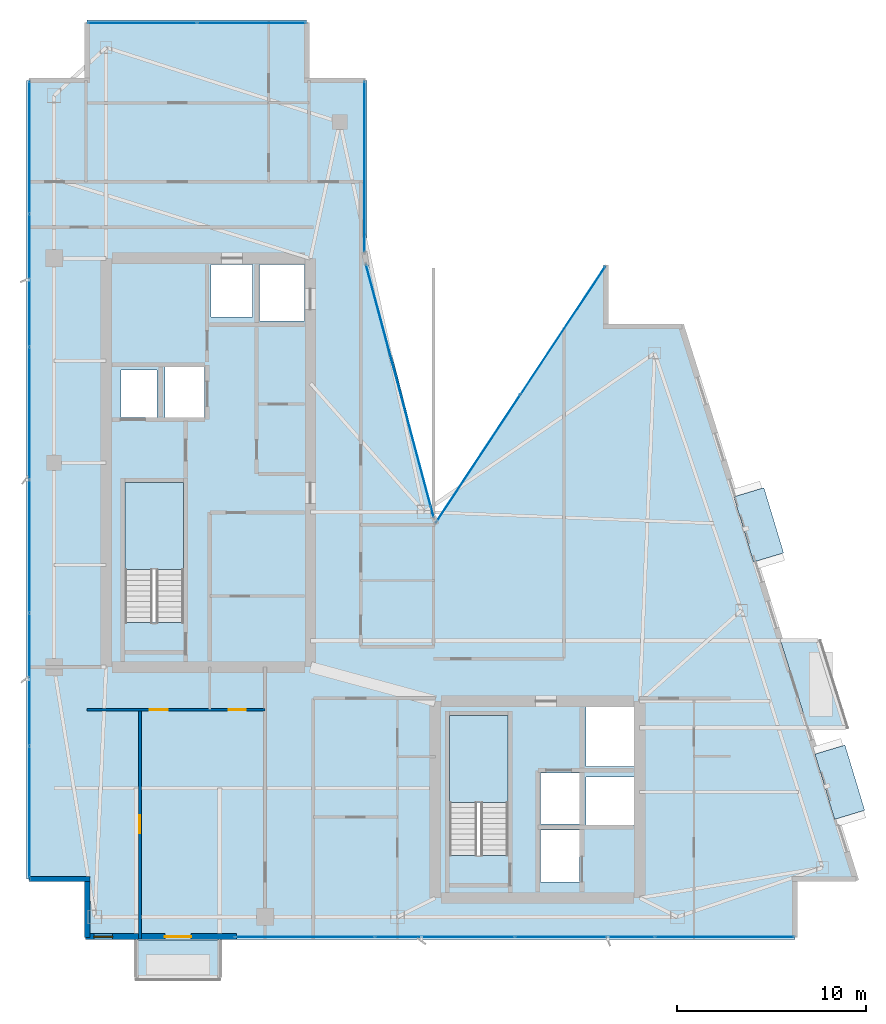
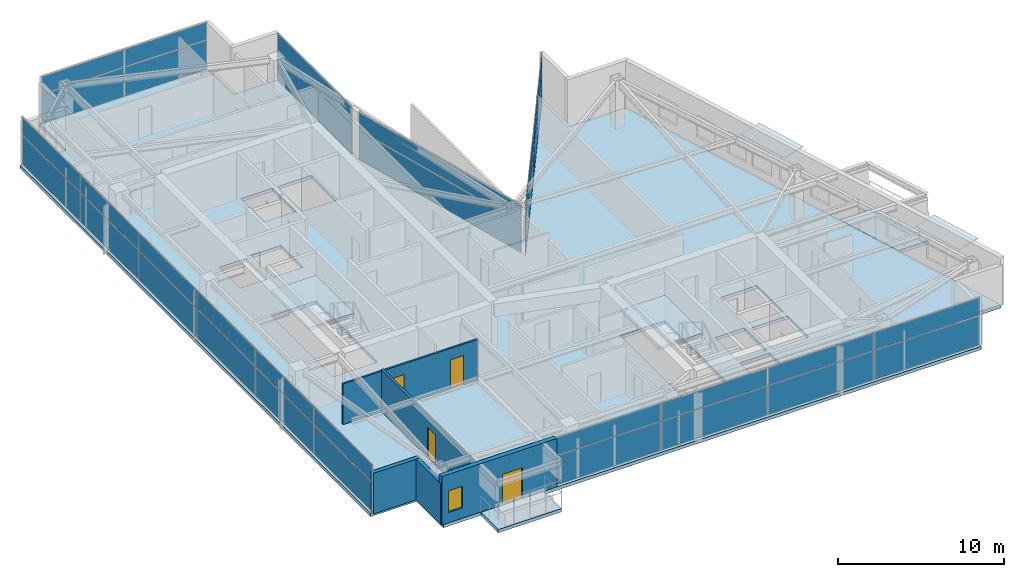
# One storey, part 22 of 28: 34 plates, 5 slabs, 5 walls, 4 doors, 1 window, 5 openings, 8 elements without a shape of their own.
"""IFC4 building model written with IfcOpenShell, lengths in metres."""

from ifc_helpers import new_model, si_unit, direction, frame, frame_2d, origin, origin_2d, place, context, subcontext, project, spatial, polyline, rectangle, outline, extrude, material, layer, layer_set, type_object, element, fill, aggregate, save


model = new_model("IFC4")

# Units and contexts
model_context = context("Model", 3, precision=1e-05, world=origin(), true_north=direction((0.0, 1.0)))
body_context = subcontext(model_context, "Body", "Model", "MODEL_VIEW")
ifc_project = project(units=[si_unit("LENGTHUNIT", "METRE"), si_unit("AREAUNIT", "SQUARE_METRE"), si_unit("VOLUMEUNIT", "CUBIC_METRE"), si_unit("PLANEANGLEUNIT", "RADIAN"), si_unit("MASSUNIT", "GRAM", prefix="KILO")], contexts=[model_context])

# Site, building, storey
site_placement = place(None, origin())
site = spatial("IfcSite", under=ifc_project, at=site_placement, CompositionType="ELEMENT")
building_placement = place(site_placement, origin())
building = spatial("IfcBuilding", under=site, at=building_placement, Name="Calvorn Quay Hotel", CompositionType="ELEMENT")
storey_placement = place(building_placement, frame((0.0, 0.0, 271.10009765625)))
storey = spatial("IfcBuildingStorey", under=building, at=storey_placement, Name="L67", CompositionType="ELEMENT", Elevation=271.10009765625)

# Curtain wall, plates
ifc_material_1 = material(Name="Champagne Bronze Anodised Aluminium and Low-E Glass", Category="aluminium")
ifc_layer_1 = layer(ifc_material_1, 0.219970703125)
ifc_layer_set_1 = layer_set([ifc_layer_1], Name="CW-SYS-Z4")
curtain_wall_type = type_object("IfcCurtainWallType", Name="CW-SYS-Z4", PredefinedType="NOTDEFINED", material=ifc_layer_set_1)
curtain_wall_1_placement = place(storey_placement, origin())
curtain_wall_1 = element("IfcCurtainWall", 1, at=curtain_wall_1_placement, inside=storey, type_object=curtain_wall_type, Name="Tower West Curtain Wall (L67)", PredefinedType="NOTDEFINED")
ifc_material_2 = material(Name="Low-E Laminated Double Glazing", Category="glass")
ifc_layer_2 = layer(ifc_material_2, 0.028076171875)
ifc_layer_set_2 = layer_set([ifc_layer_2], Name="CW-SYS-Z4-PAN")
plate_type_1 = type_object("IfcPlateType", Name="CW-SYS-Z4-PAN", PredefinedType="CURTAIN_PANEL", material=ifc_layer_set_2)
plate_1_placement = place(storey_placement, frame((0.14990234375, 9.131591796875, 0.06005859375), z_axis=(0.0, 0.0, 1.0), x_axis=(0.0, 1.0, 0.0)))
plate_1 = element("IfcPlate", 2, at=plate_1_placement, type_object=plate_type_1, Name="CW-L67-W panel 1.1", PredefinedType="CURTAIN_PANEL", context=body_context, shape_type="SweptSolid", body=[
    extrude(rectangle(XDim=6.943359375, YDim=0.028076171875, at=origin_2d()), origin(), (0.0, 0.0, 1.0), 2.110107421875),
])
plate_2_placement = place(storey_placement, frame((0.14990234375, 9.131591796875, 2.22998046875), z_axis=(0.0, 0.0, 1.0), x_axis=(0.0, 1.0, 0.0)))
plate_2 = element("IfcPlate", 3, at=plate_2_placement, type_object=plate_type_1, Name="CW-L67-W panel 1.2", PredefinedType="CURTAIN_PANEL", context=body_context, shape_type="SweptSolid", body=[
    extrude(rectangle(XDim=6.943359375, YDim=0.028076171875, at=origin_2d()), origin(), (0.0, 0.0, 1.0), 1.27001953125),
])
plate_3_placement = place(storey_placement, frame((0.14990234375, 16.14990234375, 0.06005859375), z_axis=(0.0, 0.0, 1.0), x_axis=(0.0, 1.0, 0.0)))
plate_3 = element("IfcPlate", 4, at=plate_3_placement, type_object=plate_type_1, Name="CW-L67-W panel 2.1", PredefinedType="CURTAIN_PANEL", context=body_context, shape_type="SweptSolid", body=[
    extrude(rectangle(XDim=6.973388671875, YDim=0.028076171875, at=origin_2d()), origin(), (0.0, 0.0, 1.0), 2.110107421875),
])
plate_4_placement = place(storey_placement, frame((0.14990234375, 16.14990234375, 2.22998046875), z_axis=(0.0, 0.0, 1.0), x_axis=(0.0, 1.0, 0.0)))
plate_4 = element("IfcPlate", 5, at=plate_4_placement, type_object=plate_type_1, Name="CW-L67-W panel 2.2", PredefinedType="CURTAIN_PANEL", context=body_context, shape_type="SweptSolid", body=[
    extrude(rectangle(XDim=6.973388671875, YDim=0.028076171875, at=origin_2d()), origin(), (0.0, 0.0, 1.0), 1.27001953125),
])
plate_5_placement = place(storey_placement, frame((0.14990234375, 23.183349609375, 0.06005859375), z_axis=(0.0, 0.0, 1.0), x_axis=(0.0, 1.0, 0.0)))
plate_5 = element("IfcPlate", 6, at=plate_5_placement, type_object=plate_type_1, Name="CW-L67-W panel 3.1", PredefinedType="CURTAIN_PANEL", context=body_context, shape_type="SweptSolid", body=[
    extrude(rectangle(XDim=6.973388671875, YDim=0.028076171875, at=origin_2d()), origin(), (0.0, 0.0, 1.0), 2.110107421875),
])
plate_6_placement = place(storey_placement, frame((0.14990234375, 23.183349609375, 2.22998046875), z_axis=(0.0, 0.0, 1.0), x_axis=(0.0, 1.0, 0.0)))
plate_6 = element("IfcPlate", 7, at=plate_6_placement, type_object=plate_type_1, Name="CW-L67-W panel 3.2", PredefinedType="CURTAIN_PANEL", context=body_context, shape_type="SweptSolid", body=[
    extrude(rectangle(XDim=6.973388671875, YDim=0.028076171875, at=origin_2d()), origin(), (0.0, 0.0, 1.0), 1.27001953125),
])
plate_7_placement = place(storey_placement, frame((0.14990234375, 30.216552734375, 0.06005859375), z_axis=(0.0, 0.0, 1.0), x_axis=(0.0, 1.0, 0.0)))
plate_7 = element("IfcPlate", 8, at=plate_7_placement, type_object=plate_type_1, Name="CW-L67-W panel 4.1", PredefinedType="CURTAIN_PANEL", context=body_context, shape_type="SweptSolid", body=[
    extrude(rectangle(XDim=6.973388671875, YDim=0.028076171875, at=origin_2d()), origin(), (0.0, 0.0, 1.0), 2.110107421875),
])
plate_8_placement = place(storey_placement, frame((0.14990234375, 30.216552734375, 2.22998046875), z_axis=(0.0, 0.0, 1.0), x_axis=(0.0, 1.0, 0.0)))
plate_8 = element("IfcPlate", 9, at=plate_8_placement, type_object=plate_type_1, Name="CW-L67-W panel 4.2", PredefinedType="CURTAIN_PANEL", context=body_context, shape_type="SweptSolid", body=[
    extrude(rectangle(XDim=6.973388671875, YDim=0.028076171875, at=origin_2d()), origin(), (0.0, 0.0, 1.0), 1.27001953125),
])
plate_9_placement = place(storey_placement, frame((0.14990234375, 37.25, 0.06005859375), z_axis=(0.0, 0.0, 1.0), x_axis=(0.0, 1.0, 0.0)))
plate_9 = element("IfcPlate", 10, at=plate_9_placement, type_object=plate_type_1, Name="CW-L67-W panel 5.1", PredefinedType="CURTAIN_PANEL", context=body_context, shape_type="SweptSolid", body=[
    extrude(rectangle(XDim=6.973388671875, YDim=0.028076171875, at=origin_2d()), origin(), (0.0, 0.0, 1.0), 2.110107421875),
])
plate_10_placement = place(storey_placement, frame((0.14990234375, 37.25, 2.22998046875), z_axis=(0.0, 0.0, 1.0), x_axis=(0.0, 1.0, 0.0)))
plate_10 = element("IfcPlate", 11, at=plate_10_placement, type_object=plate_type_1, Name="CW-L67-W panel 5.2", PredefinedType="CURTAIN_PANEL", context=body_context, shape_type="SweptSolid", body=[
    extrude(rectangle(XDim=6.973388671875, YDim=0.028076171875, at=origin_2d()), origin(), (0.0, 0.0, 1.0), 1.27001953125),
])
plate_11_placement = place(storey_placement, frame((0.14990234375, 44.268310546875, 0.06005859375), z_axis=(0.0, 0.0, 1.0), x_axis=(0.0, 1.0, 0.0)))
plate_11 = element("IfcPlate", 12, at=plate_11_placement, type_object=plate_type_1, Name="CW-L67-W panel 6.1", PredefinedType="CURTAIN_PANEL", context=body_context, shape_type="SweptSolid", body=[
    extrude(rectangle(XDim=6.943359375, YDim=0.028076171875, at=origin_2d()), origin(), (0.0, 0.0, 1.0), 2.110107421875),
])
plate_12_placement = place(storey_placement, frame((0.14990234375, 44.268310546875, 2.22998046875), z_axis=(0.0, 0.0, 1.0), x_axis=(0.0, 1.0, 0.0)))
plate_12 = element("IfcPlate", 13, at=plate_12_placement, type_object=plate_type_1, Name="CW-L67-W panel 6.2", PredefinedType="CURTAIN_PANEL", context=body_context, shape_type="SweptSolid", body=[
    extrude(rectangle(XDim=6.943359375, YDim=0.028076171875, at=origin_2d()), origin(), (0.0, 0.0, 1.0), 1.27001953125),
])
aggregate(curtain_wall_1, [plate_1, plate_2, plate_3, plate_4, plate_5, plate_6, plate_7, plate_8, plate_9, plate_10, plate_11, plate_12])

curtain_wall_2_placement = place(storey_placement, origin())
curtain_wall_2 = element("IfcCurtainWall", 14, at=curtain_wall_2_placement, inside=storey, type_object=curtain_wall_type, Name="Tower South Waterfront Curtain Wall (L67)", PredefinedType="NOTDEFINED")
plate_13_placement = place(storey_placement, frame((14.715087890625, 2.550048828125, 0.06005859375), z_axis=(0.0, 0.0, 1.0), x_axis=(1.0, 0.0, 0.0)))
plate_13 = element("IfcPlate", 15, at=plate_13_placement, type_object=plate_type_1, Name="CW-L67-S panel 1.1", PredefinedType="CURTAIN_PANEL", context=body_context, shape_type="SweptSolid", body=[
    extrude(rectangle(XDim=7.31005859375, YDim=0.028076171875, at=origin_2d()), origin(), (0.0, 0.0, 1.0), 2.110107421875),
])
plate_14_placement = place(storey_placement, frame((14.715087890625, 2.550048828125, 2.22998046875), z_axis=(0.0, 0.0, 1.0), x_axis=(1.0, 0.0, 0.0)))
plate_14 = element("IfcPlate", 16, at=plate_14_placement, type_object=plate_type_1, Name="CW-L67-S panel 1.2", PredefinedType="CURTAIN_PANEL", context=body_context, shape_type="SweptSolid", body=[
    extrude(rectangle(XDim=7.31005859375, YDim=0.028076171875, at=origin_2d()), origin(), (0.0, 0.0, 1.0), 1.27001953125),
])
plate_15_placement = place(storey_placement, frame((22.10009765625, 2.550048828125, 0.06005859375), z_axis=(0.0, 0.0, 1.0), x_axis=(1.0, 0.0, 0.0)))
plate_15 = element("IfcPlate", 17, at=plate_15_placement, type_object=plate_type_1, Name="CW-L67-S panel 2.1", PredefinedType="CURTAIN_PANEL", context=body_context, shape_type="SweptSolid", body=[
    extrude(rectangle(XDim=7.340087890625, YDim=0.028076171875, at=origin_2d()), origin(), (0.0, 0.0, 1.0), 2.110107421875),
])
plate_16_placement = place(storey_placement, frame((22.10009765625, 2.550048828125, 2.22998046875), z_axis=(0.0, 0.0, 1.0), x_axis=(1.0, 0.0, 0.0)))
plate_16 = element("IfcPlate", 18, at=plate_16_placement, type_object=plate_type_1, Name="CW-L67-S panel 2.2", PredefinedType="CURTAIN_PANEL", context=body_context, shape_type="SweptSolid", body=[
    extrude(rectangle(XDim=7.340087890625, YDim=0.028076171875, at=origin_2d()), origin(), (0.0, 0.0, 1.0), 1.27001953125),
])
plate_17_placement = place(storey_placement, frame((29.5, 2.550048828125, 0.06005859375), z_axis=(0.0, 0.0, 1.0), x_axis=(1.0, 0.0, 0.0)))
plate_17 = element("IfcPlate", 19, at=plate_17_placement, type_object=plate_type_1, Name="CW-L67-S panel 3.1", PredefinedType="CURTAIN_PANEL", context=body_context, shape_type="SweptSolid", body=[
    extrude(rectangle(XDim=7.340087890625, YDim=0.028076171875, at=origin_2d()), origin(), (0.0, 0.0, 1.0), 2.110107421875),
])
plate_18_placement = place(storey_placement, frame((29.5, 2.550048828125, 2.22998046875), z_axis=(0.0, 0.0, 1.0), x_axis=(1.0, 0.0, 0.0)))
plate_18 = element("IfcPlate", 20, at=plate_18_placement, type_object=plate_type_1, Name="CW-L67-S panel 3.2", PredefinedType="CURTAIN_PANEL", context=body_context, shape_type="SweptSolid", body=[
    extrude(rectangle(XDim=7.340087890625, YDim=0.028076171875, at=origin_2d()), origin(), (0.0, 0.0, 1.0), 1.27001953125),
])
plate_19_placement = place(storey_placement, frame((36.885009765625, 2.550048828125, 0.06005859375), z_axis=(0.0, 0.0, 1.0), x_axis=(1.0, 0.0, 0.0)))
plate_19 = element("IfcPlate", 21, at=plate_19_placement, type_object=plate_type_1, Name="CW-L67-S panel 4.1", PredefinedType="CURTAIN_PANEL", context=body_context, shape_type="SweptSolid", body=[
    extrude(rectangle(XDim=7.31005859375, YDim=0.028076171875, at=origin_2d()), origin(), (0.0, 0.0, 1.0), 2.110107421875),
])
plate_20_placement = place(storey_placement, frame((36.885009765625, 2.550048828125, 2.22998046875), z_axis=(0.0, 0.0, 1.0), x_axis=(1.0, 0.0, 0.0)))
plate_20 = element("IfcPlate", 22, at=plate_20_placement, type_object=plate_type_1, Name="CW-L67-S panel 4.2", PredefinedType="CURTAIN_PANEL", context=body_context, shape_type="SweptSolid", body=[
    extrude(rectangle(XDim=7.31005859375, YDim=0.028076171875, at=origin_2d()), origin(), (0.0, 0.0, 1.0), 1.27001953125),
])
aggregate(curtain_wall_2, [plate_13, plate_14, plate_15, plate_16, plate_17, plate_18, plate_19, plate_20])

curtain_wall_3_placement = place(storey_placement, origin())
curtain_wall_3 = element("IfcCurtainWall", 23, at=curtain_wall_3_placement, inside=storey, type_object=curtain_wall_type, Name="Inner Court Curtain Wall L67-NE1", PredefinedType="NOTDEFINED")
plate_21_placement = place(storey_placement, frame((28.341796875, 34.58740234375, 0.06005859375), z_axis=(0.0, 0.0, 1.0), x_axis=(-0.551866900852, -0.833932205724, 0.0)))
plate_21 = element("IfcPlate", 24, at=plate_21_placement, type_object=plate_type_1, Name="CW-L67-NE1 panel 1.1", PredefinedType="CURTAIN_PANEL", context=body_context, shape_type="SweptSolid", body=[
    extrude(rectangle(XDim=8.064208984375, YDim=0.028076171875, at=origin_2d()), origin(), (0.0, 0.0, 1.0), 2.110107421875),
])
plate_22_placement = place(storey_placement, frame((28.341796875, 34.58740234375, 2.22998046875), z_axis=(0.0, 0.0, 1.0), x_axis=(-0.551866900852, -0.833932205724, 0.0)))
plate_22 = element("IfcPlate", 25, at=plate_22_placement, type_object=plate_type_1, Name="CW-L67-NE1 panel 1.2", PredefinedType="CURTAIN_PANEL", context=body_context, shape_type="SweptSolid", body=[
    extrude(rectangle(XDim=8.064208984375, YDim=0.028076171875, at=origin_2d()), origin(), (0.0, 0.0, 1.0), 1.27001953125),
])
plate_23_placement = place(storey_placement, frame((23.8583984375, 27.8125, 0.06005859375), z_axis=(0.0, 0.0, 1.0), x_axis=(-0.551866900852, -0.833932205724, 0.0)))
plate_23 = element("IfcPlate", 26, at=plate_23_placement, type_object=plate_type_1, Name="CW-L67-NE1 panel 2.1", PredefinedType="CURTAIN_PANEL", context=body_context, shape_type="SweptSolid", body=[
    extrude(rectangle(XDim=8.064208984375, YDim=0.028076171875, at=origin_2d()), origin(), (0.0, 0.0, 1.0), 2.110107421875),
])
plate_24_placement = place(storey_placement, frame((23.8583984375, 27.8125, 2.22998046875), z_axis=(0.0, 0.0, 1.0), x_axis=(-0.551866900852, -0.833932205724, 0.0)))
plate_24 = element("IfcPlate", 27, at=plate_24_placement, type_object=plate_type_1, Name="CW-L67-NE1 panel 2.2", PredefinedType="CURTAIN_PANEL", context=body_context, shape_type="SweptSolid", body=[
    extrude(rectangle(XDim=8.064208984375, YDim=0.028076171875, at=origin_2d()), origin(), (0.0, 0.0, 1.0), 1.27001953125),
])
aggregate(curtain_wall_3, [plate_21, plate_22, plate_23, plate_24])

curtain_wall_4_placement = place(storey_placement, origin())
curtain_wall_4 = element("IfcCurtainWall", 28, at=curtain_wall_4_placement, inside=storey, type_object=curtain_wall_type, Name="Inner Court Curtain Wall L67-IC1", PredefinedType="NOTDEFINED")
plate_25_placement = place(storey_placement, frame((19.72509765625, 31.39990234375, 0.06005859375), z_axis=(0.0, 0.0, 1.0), x_axis=(-0.25877913024, 0.96593652056, 0.0)))
plate_25 = element("IfcPlate", 29, at=plate_25_placement, type_object=plate_type_1, Name="CW-L67-IC1 panel 1.1", PredefinedType="CURTAIN_PANEL", context=body_context, shape_type="SweptSolid", body=[
    extrude(rectangle(XDim=13.814697265625, YDim=0.028076171875, at=origin_2d()), origin(), (0.0, 0.0, 1.0), 2.110107421875),
])
plate_26_placement = place(storey_placement, frame((19.72509765625, 31.39990234375, 2.22998046875), z_axis=(0.0, 0.0, 1.0), x_axis=(-0.25877913024, 0.96593652056, 0.0)))
plate_26 = element("IfcPlate", 30, at=plate_26_placement, type_object=plate_type_1, Name="CW-L67-IC1 panel 1.2", PredefinedType="CURTAIN_PANEL", context=body_context, shape_type="SweptSolid", body=[
    extrude(rectangle(XDim=13.814697265625, YDim=0.028076171875, at=origin_2d()), origin(), (0.0, 0.0, 1.0), 1.27001953125),
])
aggregate(curtain_wall_4, [plate_25, plate_26])

curtain_wall_5_placement = place(storey_placement, origin())
curtain_wall_5 = element("IfcCurtainWall", 31, at=curtain_wall_5_placement, inside=storey, type_object=curtain_wall_type, Name="Inner Court Curtain Wall L67-IC2", PredefinedType="NOTDEFINED")
plate_27_placement = place(storey_placement, frame((17.85009765625, 43.239990234375, 0.06005859375), z_axis=(0.0, 0.0, 1.0), x_axis=(0.0, 1.0, 0.0)))
plate_27 = element("IfcPlate", 32, at=plate_27_placement, type_object=plate_type_1, Name="CW-L67-IC2 panel 1.1", PredefinedType="CURTAIN_PANEL", context=body_context, shape_type="SweptSolid", body=[
    extrude(rectangle(XDim=9.0, YDim=0.028076171875, at=origin_2d()), origin(), (0.0, 0.0, 1.0), 2.110107421875),
])
plate_28_placement = place(storey_placement, frame((17.85009765625, 43.239990234375, 2.22998046875), z_axis=(0.0, 0.0, 1.0), x_axis=(0.0, 1.0, 0.0)))
plate_28 = element("IfcPlate", 33, at=plate_28_placement, type_object=plate_type_1, Name="CW-L67-IC2 panel 1.2", PredefinedType="CURTAIN_PANEL", context=body_context, shape_type="SweptSolid", body=[
    extrude(rectangle(XDim=9.0, YDim=0.028076171875, at=origin_2d()), origin(), (0.0, 0.0, 1.0), 1.27001953125),
])
aggregate(curtain_wall_5, [plate_27, plate_28])

curtain_wall_6_placement = place(storey_placement, origin())
curtain_wall_6 = element("IfcCurtainWall", 34, at=curtain_wall_6_placement, inside=storey, type_object=curtain_wall_type, Name="Inner Court Curtain Wall L67-N1", PredefinedType="NOTDEFINED")
plate_29_placement = place(storey_placement, frame((11.885009765625, 50.85009765625, 0.06005859375), z_axis=(0.0, 0.0, 1.0), x_axis=(-1.0, 0.0, 0.0)))
plate_29 = element("IfcPlate", 35, at=plate_29_placement, type_object=plate_type_1, Name="CW-L67-N1 panel 1.1", PredefinedType="CURTAIN_PANEL", context=body_context, shape_type="SweptSolid", body=[
    extrude(rectangle(XDim=5.7099609375, YDim=0.028076171875, at=origin_2d()), origin(), (0.0, 0.0, 1.0), 2.110107421875),
])
plate_30_placement = place(storey_placement, frame((11.885009765625, 50.85009765625, 2.22998046875), z_axis=(0.0, 0.0, 1.0), x_axis=(-1.0, 0.0, 0.0)))
plate_30 = element("IfcPlate", 36, at=plate_30_placement, type_object=plate_type_1, Name="CW-L67-N1 panel 1.2", PredefinedType="CURTAIN_PANEL", context=body_context, shape_type="SweptSolid", body=[
    extrude(rectangle(XDim=5.7099609375, YDim=0.028076171875, at=origin_2d()), origin(), (0.0, 0.0, 1.0), 1.27001953125),
])
plate_31_placement = place(storey_placement, frame((6.114990234375, 50.85009765625, 0.06005859375), z_axis=(0.0, 0.0, 1.0), x_axis=(-1.0, 0.0, 0.0)))
plate_31 = element("IfcPlate", 37, at=plate_31_placement, type_object=plate_type_1, Name="CW-L67-N1 panel 2.1", PredefinedType="CURTAIN_PANEL", context=body_context, shape_type="SweptSolid", body=[
    extrude(rectangle(XDim=5.7099609375, YDim=0.028076171875, at=origin_2d()), origin(), (0.0, 0.0, 1.0), 2.110107421875),
])
plate_32_placement = place(storey_placement, frame((6.114990234375, 50.85009765625, 2.22998046875), z_axis=(0.0, 0.0, 1.0), x_axis=(-1.0, 0.0, 0.0)))
plate_32 = element("IfcPlate", 38, at=plate_32_placement, type_object=plate_type_1, Name="CW-L67-N1 panel 2.2", PredefinedType="CURTAIN_PANEL", context=body_context, shape_type="SweptSolid", body=[
    extrude(rectangle(XDim=5.7099609375, YDim=0.028076171875, at=origin_2d()), origin(), (0.0, 0.0, 1.0), 1.27001953125),
])
aggregate(curtain_wall_6, [plate_29, plate_30, plate_31, plate_32])

# Plates
ifc_material_3 = material(Name="Tempered Laminated Low-E Glass", Category="glass")
ifc_layer_3 = layer(ifc_material_3, 0.0380859375)
ifc_layer_set_3 = layer_set([ifc_layer_3], Name="PLT-HOOD-GLAZ")
plate_type_2 = type_object("IfcPlateType", Name="PLT-HOOD-GLAZ", PredefinedType="SHEET", material=ifc_layer_set_3)
for number, where, z_axis, x_axis, name in (
    (39, (42.97412109375, 10.718017578125, 2.466796875), (0.0, 0.0, 1.0), (0.957319497532, 0.289031796944, 0.0), "Angled Glass Bay Hood Panel L67-HOOD-1"),
    (40, (38.68896484375, 24.318115234375, 2.466796875), (0.0, 0.0, 1.0), (0.957319497532, 0.289031796944, 0.0), "Angled Glass Bay Hood Panel L67-HOOD-3"),
):
    element("IfcPlate", number, at=place(storey_placement, frame(where, z_axis=z_axis, x_axis=x_axis)), inside=storey, type_object=plate_type_2, Name=name, PredefinedType="SHEET", context=body_context, shape_type="SweptSolid", body=[
        extrude(rectangle(XDim=1.659912109375, YDim=3.60009765625, at=origin_2d()), origin(), (0.0, 0.0, 1.0), 0.0380859375),
    ])

# Slabs
ifc_material_4 = material(Name="Concrete C40", Category="concrete")
ifc_layer_4 = layer(ifc_material_4, 0.239990234375)
ifc_layer_set_4 = layer_set([ifc_layer_4], Name="SLB-BALCONY-220")
slab_type_1 = type_object("IfcSlabType", Name="SLB-BALCONY-220", PredefinedType="FLOOR", material=ifc_layer_set_4)
slab_1_placement = place(storey_placement, frame((0.0, 0.0, -0.239990234375)))
element("IfcSlab", 41, at=slab_1_placement, inside=storey, type_object=slab_type_1, Name="Tree Balcony Slab L67-BALC-E", PredefinedType="FLOOR", context=body_context, shape_type="SweptSolid", body=[
    extrude(outline(polyline([(41.2890625, 13.60009765625), (43.388916015625, 13.60009765625), (41.93994140625, 18.199951171875), (39.840087890625, 18.199951171875), (41.2890625, 13.60009765625)])), origin(), (0.0, 0.0, 1.0), 0.239990234375),
])
slab_2_placement = place(storey_placement, frame((0.0, 0.0, -0.239990234375)))
element("IfcSlab", 42, at=slab_2_placement, inside=storey, type_object=slab_type_1, Name="Tree Balcony Slab L67-BALC-S", PredefinedType="FLOOR", context=body_context, shape_type="SweptSolid", body=[
    extrude(outline(polyline([(5.800048828125, 0.2900390625), (10.199951171875, 0.2900390625), (10.199951171875, 2.389892578125), (5.800048828125, 2.389892578125), (5.800048828125, 0.2900390625)])), origin(), (0.0, 0.0, 1.0), 0.239990234375),
])

# Stair, slab
ifc_material_5 = material(Name="Concrete C40", Category="concrete")
stair_type = type_object("IfcStairType", Name="STR-CORE-DOGLEG", PredefinedType="HALF_TURN_STAIR", material=ifc_material_5)
stair_1_placement = place(storey_placement, origin())
stair_1 = element("IfcStair", 43, at=stair_1_placement, inside=storey, type_object=stair_type, Name="L67 ST-W", PredefinedType="HALF_TURN_STAIR")
ifc_material_6 = material(Name="Concrete C40", Category="concrete")
ifc_layer_5 = layer(ifc_material_6, 0.199951171875)
ifc_layer_set_5 = layer_set([ifc_layer_5], Name="SLB-STAIR-LANDING-200")
slab_type_2 = type_object("IfcSlabType", Name="SLB-STAIR-LANDING-200", PredefinedType="LANDING", material=ifc_layer_set_5)
slab_3_placement = place(storey_placement, frame((0.0, 0.0, 1.699951171875)))
slab_3 = element("IfcSlab", 44, at=slab_3_placement, type_object=slab_type_2, Name="ST-W landing 1", PredefinedType="LANDING", context=body_context, shape_type="SweptSolid", body=[
    extrude(outline(polyline([(8.300048828125, 21.949951171875), (8.300048828125, 26.550048828125), (5.199951171875, 26.550048828125), (5.199951171875, 21.949951171875), (8.300048828125, 21.949951171875)])), origin(), (0.0, 0.0, 1.0), 0.199951171875),
])
aggregate(stair_1, [slab_3])

stair_2_placement = place(storey_placement, origin())
stair_2 = element("IfcStair", 45, at=stair_2_placement, inside=storey, type_object=stair_type, Name="L67 ST-E", PredefinedType="HALF_TURN_STAIR")
slab_4_placement = place(storey_placement, frame((0.0, 0.0, 1.699951171875)))
slab_4 = element("IfcSlab", 46, at=slab_4_placement, type_object=slab_type_2, Name="ST-E landing 1", PredefinedType="LANDING", context=body_context, shape_type="SweptSolid", body=[
    extrude(outline(polyline([(25.449951171875, 9.64990234375), (25.449951171875, 14.25), (22.35009765625, 14.25), (22.35009765625, 9.64990234375), (25.449951171875, 9.64990234375)])), origin(), (0.0, 0.0, 1.0), 0.199951171875),
])
aggregate(stair_2, [slab_4])

# Slab
ifc_material_7 = material(Name="Concrete C40", Category="concrete")
ifc_layer_6 = layer(ifc_material_7, 0.239990234375)
ifc_layer_set_6 = layer_set([ifc_layer_6], Name="SLB-TOWER-240")
slab_type_3 = type_object("IfcSlabType", Name="SLB-TOWER-240", PredefinedType="FLOOR", material=ifc_layer_set_6)
slab_5_placement = place(storey_placement, frame((0.0, 0.0, -0.239990234375)))
element("IfcSlab", 47, at=slab_5_placement, inside=storey, type_object=slab_type_3, Name="L67 Structural Floor Slab", PredefinedType="FLOOR", context=body_context, shape_type="SweptSolid", body=[
    extrude(outline(polyline([(0.0, 5.60009765625), (3.199951171875, 5.60009765625), (3.199951171875, 2.39990234375), (40.60009765625, 2.39990234375), (40.60009765625, 5.60009765625), (43.800048828125, 5.60009765625), (34.60009765625, 34.800048828125), (30.60009765625, 34.800048828125), (30.60009765625, 38.0), (21.60009765625, 24.39990234375), (18.0, 38.39990234375), (18.0, 47.800048828125), (14.800048828125, 47.800048828125), (14.800048828125, 51.0), (3.199951171875, 51.0), (3.199951171875, 47.800048828125), (0.0, 47.800048828125), (0.0, 5.60009765625)]), holes=[polyline([(5.199951171875, 19.156005859375), (8.300048828125, 19.156005859375), (8.300048828125, 26.550048828125), (5.199951171875, 26.550048828125), (5.199951171875, 19.156005859375)]), polyline([(22.35009765625, 6.85595703125), (25.449951171875, 6.85595703125), (25.449951171875, 14.25), (22.35009765625, 14.25), (22.35009765625, 6.85595703125)]), polyline([(5.0, 30.0), (6.89990234375, 30.0), (6.89990234375, 32.5), (5.0, 32.5), (5.0, 30.0)]), polyline([(7.300048828125, 30.0), (9.39990234375, 30.0), (9.39990234375, 32.64990234375), (7.300048828125, 32.64990234375), (7.300048828125, 30.0)]), polyline([(27.159912109375, 8.5), (29.2099609375, 8.5), (29.2099609375, 11.199951171875), (27.159912109375, 11.199951171875), (27.159912109375, 8.5)]), polyline([(27.159912109375, 5.449951171875), (29.2099609375, 5.449951171875), (29.2099609375, 8.199951171875), (27.159912109375, 8.199951171875), (27.159912109375, 5.449951171875)]), polyline([(12.300048828125, 35.10009765625), (14.68994140625, 35.10009765625), (14.68994140625, 38.090087890625), (12.300048828125, 38.090087890625), (12.300048828125, 35.10009765625)]), polyline([(9.75, 35.300048828125), (11.949951171875, 35.300048828125), (11.949951171875, 38.090087890625), (9.75, 38.090087890625), (9.75, 35.300048828125)]), polyline([(29.550048828125, 11.550048828125), (32.090087890625, 11.550048828125), (32.090087890625, 14.68994140625), (29.550048828125, 14.68994140625), (29.550048828125, 11.550048828125)]), polyline([(29.550048828125, 8.449951171875), (32.090087890625, 8.449951171875), (32.090087890625, 11.0), (29.550048828125, 11.0), (29.550048828125, 8.449951171875)])]), origin(), (0.0, 0.0, 1.0), 0.239990234375),
])

# Wall, openings, doors
ifc_material_8 = material(Name="Moisture-Resistant Tile-Backed Partition")
ifc_layer_7 = layer(ifc_material_8, 0.125)
ifc_layer_set_7 = layer_set([ifc_layer_7], Name="WL-ENSUITE-125")
wall_type_1 = type_object("IfcWallType", Name="WL-ENSUITE-125", PredefinedType="PARTITIONING", material=ifc_layer_set_7)
wall_1_placement = place(storey_placement, frame((3.199951171875, 14.550048828125, 0.0), z_axis=(0.0, 0.0, 1.0), x_axis=(1.0, 0.0, 0.0)))
wall_1 = element("IfcWall", 48, at=wall_1_placement, inside=storey, type_object=wall_type_1, Name="Partition Wall L67-WL-U01-BH", PredefinedType="PARTITIONING", context=body_context, shape_type="SweptSolid", body=[
    extrude(rectangle(XDim=9.400146484375, YDim=0.125, at=frame_2d((4.7001953125, 0.0))), origin(), (0.0, 0.0, 1.0), 2.989990234375),
])
opening_1_placement = place(wall_1_placement, frame((3.300048828125, 0.0, 0.0)))
opening_1 = element("IfcOpeningElement", 49, at=opening_1_placement, cuts=wall_1, Name="Opening D-L67-S01", PredefinedType="OPENING", context=body_context, shape_type="SweptSolid", body=[
    extrude(rectangle(XDim=0.9599609375, YDim=2.199951171875, at=frame_2d((0.47998046875, 1.10009765625))), frame((0.0, 0.072509765625, 0.0), z_axis=(0.0, -1.0, 0.0), x_axis=(1.0, 0.0, 0.0)), (0.0, 0.0, 1.0), 0.14501953125),
])
opening_2_placement = place(wall_1_placement, frame((7.489990234375, 0.0, 0.0)))
opening_2 = element("IfcOpeningElement", 50, at=opening_2_placement, cuts=wall_1, Name="Opening D-L67-E01", PredefinedType="OPENING", context=body_context, shape_type="SweptSolid", body=[
    extrude(rectangle(XDim=0.89990234375, YDim=2.14990234375, at=frame_2d((0.449951171875, 1.074951171875))), frame((0.0, 0.072509765625, 0.0), z_axis=(0.0, -1.0, 0.0), x_axis=(1.0, 0.0, 0.0)), (0.0, 0.0, 1.0), 0.14501953125),
])
ifc_material_9 = material(Name="Moisture-Sealed Timber En-Suite Door", Category="wood")
door_type_1 = type_object("IfcDoorType", Name="DR-ENSUITE-900", OperationType="NOTDEFINED", PredefinedType="DOOR", material=ifc_material_9)
door_1_placement = place(opening_2_placement, origin())
door_1 = element("IfcDoor", 51, at=door_1_placement, inside=storey, type_object=door_type_1, Name="En-Suite Door 01", OperationType="SINGLE_SWING_RIGHT", OverallHeight=2.14990234375, OverallWidth=0.89990234375, PredefinedType="DOOR", context=body_context, shape_type="SweptSolid", body=[
    extrude(rectangle(XDim=0.89990234375, YDim=2.14990234375, at=frame_2d((0.449951171875, 1.074951171875))), frame((0.0, 0.02490234375, 0.0), z_axis=(0.0, -1.0, 0.0), x_axis=(1.0, 0.0, 0.0)), (0.0, 0.0, 1.0), 0.050048828125),
])
fill(opening_2, door_1)
ifc_material_10 = material(Name="Solid Timber Internal Suite Door", Category="wood")
door_type_2 = type_object("IfcDoorType", Name="DR-SUITE-INT-960", OperationType="NOTDEFINED", PredefinedType="DOOR", material=ifc_material_10)
door_2_placement = place(opening_1_placement, origin())
door_2 = element("IfcDoor", 52, at=door_2_placement, inside=storey, type_object=door_type_2, Name="Executive Study Door 01", OperationType="SINGLE_SWING_LEFT", OverallHeight=2.199951171875, OverallWidth=0.9599609375, PredefinedType="DOOR", context=body_context, shape_type="SweptSolid", body=[
    extrude(rectangle(XDim=0.9599609375, YDim=2.199951171875, at=frame_2d((0.47998046875, 1.10009765625))), frame((0.0, 0.02490234375, 0.0), z_axis=(0.0, -1.0, 0.0), x_axis=(1.0, 0.0, 0.0)), (0.0, 0.0, 1.0), 0.050048828125),
])
fill(opening_1, door_2)

# Wall, openings, door, window
ifc_material_11 = material(Name="Concrete C40", Category="concrete")
ifc_layer_8 = layer(ifc_material_11, 0.320068359375)
ifc_layer_set_8 = layer_set([ifc_layer_8], Name="WL-EXT-SPANDREL-320")
wall_type_2 = type_object("IfcWallType", Name="WL-EXT-SPANDREL-320", PredefinedType="SOLIDWALL", material=ifc_layer_set_8)
wall_2_placement = place(storey_placement, frame((3.10009765625, 2.56005859375, 0.0), z_axis=(0.0, 0.0, 1.0), x_axis=(1.0, 0.0, 0.0)))
wall_2 = element("IfcWall", 53, at=wall_2_placement, inside=storey, type_object=wall_type_2, Name="South Balcony Exterior Wall (L67)", PredefinedType="SOLIDWALL", context=body_context, shape_type="SweptSolid", body=[
    extrude(rectangle(XDim=8.0, YDim=0.320068359375, at=frame_2d((4.0, 0.0))), origin(), (0.0, 0.0, 1.0), 3.559814453125),
])
opening_3_placement = place(wall_2_placement, frame((0.449951171875, 0.0, 0.75)))
opening_3 = element("IfcOpeningElement", 54, at=opening_3_placement, cuts=wall_2, Name="Opening WSB-L67-1", PredefinedType="OPENING", context=body_context, shape_type="SweptSolid", body=[
    extrude(rectangle(XDim=1.0, YDim=1.60009765625, at=frame_2d((0.5, 0.800048828125))), frame((0.0, 0.169921875, 0.0), z_axis=(0.0, -1.0, 0.0), x_axis=(1.0, 0.0, 0.0)), (0.0, 0.0, 1.0), 0.340087890625),
])
opening_4_placement = place(wall_2_placement, frame((4.199951171875, 0.0, 0.0)))
opening_4 = element("IfcOpeningElement", 55, at=opening_4_placement, cuts=wall_2, Name="Opening DB-L67-2", PredefinedType="OPENING", context=body_context, shape_type="SweptSolid", body=[
    extrude(rectangle(XDim=1.39990234375, YDim=2.25, at=frame_2d((0.699951171875, 1.125))), frame((0.0, 0.169921875, 0.0), z_axis=(0.0, -1.0, 0.0), x_axis=(1.0, 0.0, 0.0)), (0.0, 0.0, 1.0), 0.340087890625),
])
ifc_material_12 = material(Name="Typhoon-Rated Low-E Aluminium Terrace Door", Category="aluminium")
door_type_3 = type_object("IfcDoorType", Name="DR-BALCONY-GLZ-1400", OperationType="NOTDEFINED", PredefinedType="DOOR", material=ifc_material_12)
door_3_placement = place(opening_4_placement, origin())
door_3 = element("IfcDoor", 56, at=door_3_placement, inside=storey, type_object=door_type_3, Name="Tree Balcony Terrace Door L67-BALC-S", OperationType="SINGLE_SWING_LEFT", OverallHeight=2.25, OverallWidth=1.39990234375, PredefinedType="DOOR", context=body_context, shape_type="SweptSolid", body=[
    extrude(rectangle(XDim=1.39990234375, YDim=2.25, at=frame_2d((0.699951171875, 1.125))), frame((0.0, 0.02490234375, 0.0), z_axis=(0.0, -1.0, 0.0), x_axis=(1.0, 0.0, 0.0)), (0.0, 0.0, 1.0), 0.050048828125),
])
fill(opening_4, door_3)
ifc_material_13 = material(Name="Self-Closing Class B Side Fire Window")
window_type = type_object("IfcWindowType", Name="WIN-REFUGE-NARROW-1000x1600", PartitioningType="SINGLE_PANEL", PredefinedType="WINDOW", material=ifc_material_13)
window_placement = place(opening_3_placement, origin())
window = element("IfcWindow", 57, at=window_placement, inside=storey, type_object=window_type, Name="South Waterfront Side Window (L67)", OverallHeight=1.60009765625, OverallWidth=1.0, PartitioningType="SINGLE_PANEL", PredefinedType="WINDOW", context=body_context, shape_type="SweptSolid", body=[
    extrude(rectangle(XDim=1.0, YDim=1.60009765625, at=frame_2d((0.5, 0.800048828125))), frame((0.0, 0.030029296875, 0.0), z_axis=(0.0, -1.0, 0.0), x_axis=(1.0, 0.0, 0.0)), (0.0, 0.0, 1.0), 0.06005859375),
])
fill(opening_3, window)

# Walls
wall_3_placement = place(storey_placement, frame((0.1201171875, 5.60009765625, 0.0), z_axis=(0.0, 0.0, 1.0), x_axis=(1.0, 0.0, 0.0)))
element("IfcWall", 58, at=wall_3_placement, inside=storey, type_object=wall_type_2, Name="Notched Corner Spandrel L67-SW1", PredefinedType="SOLIDWALL", context=body_context, shape_type="SweptSolid", body=[
    extrude(rectangle(XDim=3.219970703125, YDim=0.280029296875, at=frame_2d((1.60986328125, 0.0))), origin(), (0.0, 0.0, 1.0), 2.989990234375),
])
wall_4_placement = place(storey_placement, frame((3.199951171875, 5.4599609375, 0.0), z_axis=(0.0, 0.0, 1.0), x_axis=(0.0, -1.0, 0.0)))
element("IfcWall", 59, at=wall_4_placement, inside=storey, type_object=wall_type_2, Name="Notched Corner Spandrel L67-SW2", PredefinedType="SOLIDWALL", context=body_context, shape_type="SweptSolid", body=[
    extrude(rectangle(XDim=2.93994140625, YDim=0.280029296875, at=frame_2d((1.469970703125, 0.0))), origin(), (0.0, 0.0, 1.0), 2.989990234375),
])

# Wall, opening, door
ifc_material_14 = material(Name="Double-Stud Acoustic Gypsum Partition")
ifc_layer_9 = layer(ifc_material_14, 0.159912109375)
ifc_layer_set_9 = layer_set([ifc_layer_9], Name="WL-INTERSUITE-160")
wall_type_3 = type_object("IfcWallType", Name="WL-INTERSUITE-160", PredefinedType="PARTITIONING", material=ifc_layer_set_9)
wall_5_placement = place(storey_placement, frame((5.97998046875, 2.43994140625, 0.0), z_axis=(0.0, 0.0, 1.0), x_axis=(0.0, 1.0, 0.0)))
wall_5 = element("IfcWall", 60, at=wall_5_placement, inside=storey, type_object=wall_type_3, Name="Partition Wall L67-WL-U01-MSP", PredefinedType="PARTITIONING", context=body_context, shape_type="SweptSolid", body=[
    extrude(rectangle(XDim=12.110107421875, YDim=0.159912109375, at=frame_2d((6.05517578125, 0.0))), origin(), (0.0, 0.0, 1.0), 3.08984375),
])
opening_5_placement = place(wall_5_placement, frame((5.580078125, 0.0, 0.0)))
opening_5 = element("IfcOpeningElement", 61, at=opening_5_placement, cuts=wall_5, Name="Opening D-L67-M01", PredefinedType="OPENING", context=body_context, shape_type="SweptSolid", body=[
    extrude(rectangle(XDim=0.9599609375, YDim=2.199951171875, at=frame_2d((0.47998046875, 1.10009765625))), frame((0.0, 0.08984375, 0.0), z_axis=(0.0, -1.0, 0.0), x_axis=(1.0, 0.0, 0.0)), (0.0, 0.0, 1.0), 0.179931640625),
])
door_4_placement = place(opening_5_placement, origin())
door_4 = element("IfcDoor", 62, at=door_4_placement, inside=storey, type_object=door_type_2, Name="Suite Bedroom Door 01", OperationType="SINGLE_SWING_LEFT", OverallHeight=2.199951171875, OverallWidth=0.9599609375, PredefinedType="DOOR", context=body_context, shape_type="SweptSolid", body=[
    extrude(rectangle(XDim=0.9599609375, YDim=2.199951171875, at=frame_2d((0.47998046875, 1.10009765625))), frame((0.0, 0.02490234375, 0.0), z_axis=(0.0, -1.0, 0.0), x_axis=(1.0, 0.0, 0.0)), (0.0, 0.0, 1.0), 0.050048828125),
])
fill(opening_5, door_4)

save(model, "model.ifc")
